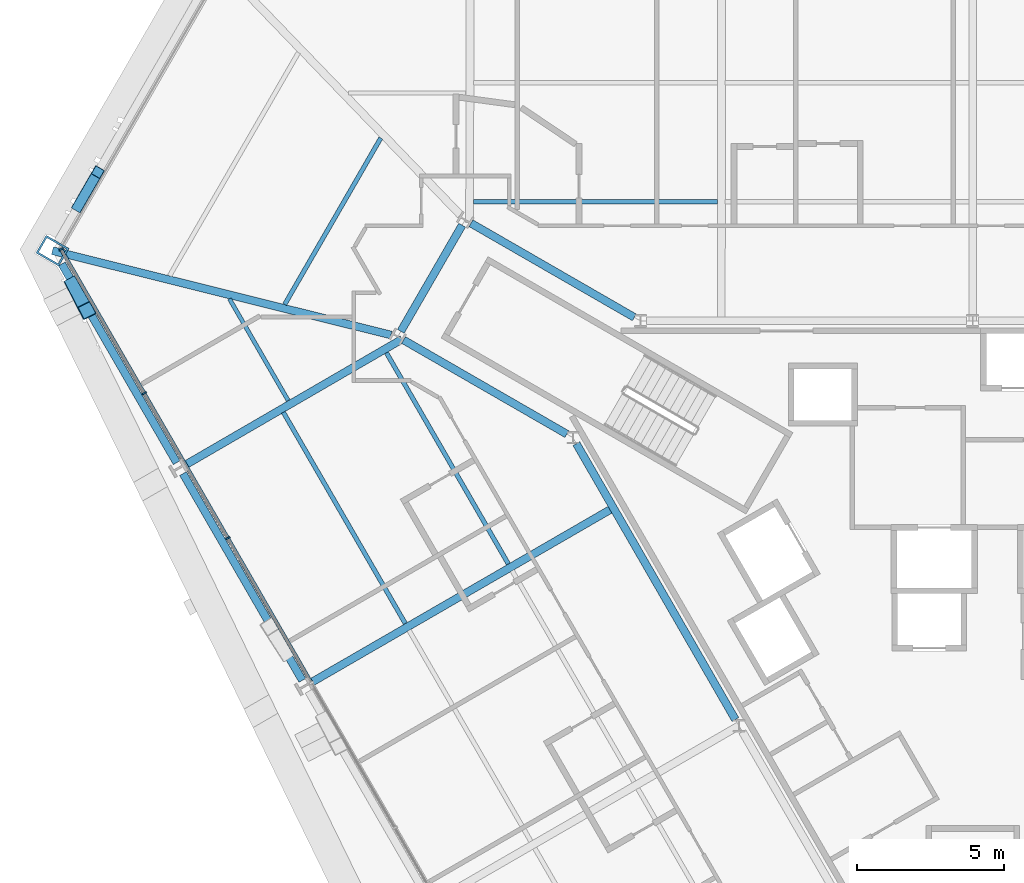
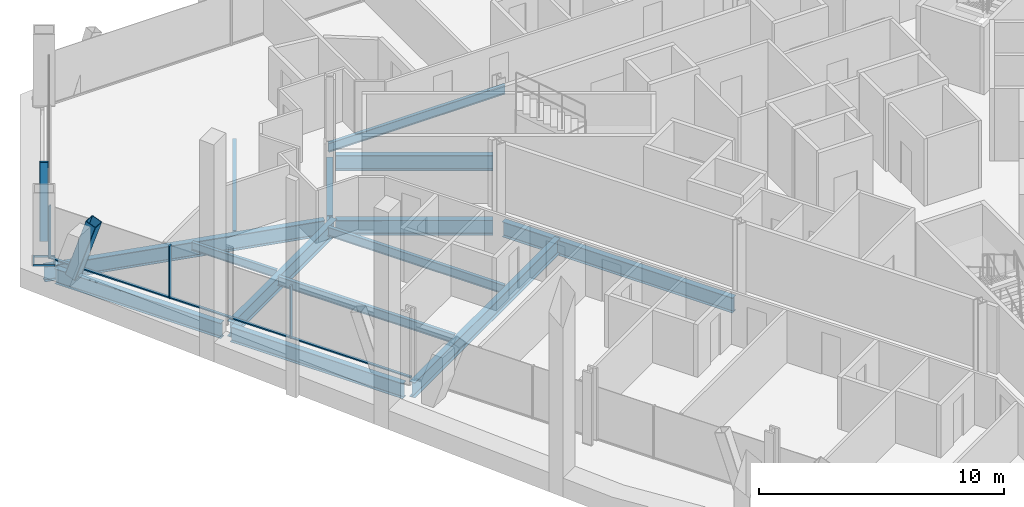
# One storey, part 7 of 21: 14 beams, 9 members, 1 element without a shape of its own.
"""IFC4 building model written with IfcOpenShell, lengths in metres."""

import ifcopenshell
import ifcopenshell.guid

model = None  # the IFC model being written
_history = None  # IfcOwnerHistory: only IFC2X3 demands one
_inside = {}  # id of a spatial element -> (the spatial element, [elements in it])
_under = {}  # id of a project, library or spatial element -> (it, [spatial elements below it])
_declared = {}  # id of a project -> (the project, [libraries it declares])
_typed = {}  # id of a type object -> (the type object, [elements of that type])
_made_of = {}  # id of a material, layer set ... -> (it, [elements and type objects made of it])


def new_model(schema):
    """Start an empty IFC model of exactly this schema.

    Asked for "IFC4X3", IfcOpenShell would pick the latest addendum, in which some entities
    have other attributes; the version numbers below select the first issue.
    IFC2X3 requires an IfcOwnerHistory on every rooted entity: one is made here for all.
    """
    global model, _history
    if schema == "IFC4X3":
        model = ifcopenshell.file(schema_version=(4, 3, 0, 0))
    else:
        model = ifcopenshell.file(schema=schema)
    _inside.clear()
    _under.clear()
    _declared.clear()
    _typed.clear()
    _made_of.clear()
    _history = None
    if model.schema == "IFC2X3":
        org = make("IfcOrganization", Name="unknown")
        user = make(
            "IfcPersonAndOrganization",
            ThePerson=make("IfcPerson", FamilyName="unknown"),
            TheOrganization=org,
        )
        app = make(
            "IfcApplication",
            ApplicationDeveloper=org,
            Version="unknown",
            ApplicationFullName="unknown",
            ApplicationIdentifier="unknown",
        )
        _history = make(
            "IfcOwnerHistory",
            OwningUser=user,
            OwningApplication=app,
            ChangeAction="ADDED",
            CreationDate=0,
        )
    return model


def make(cls, **values):
    """One entity of the class cls with the attributes given. An attribute that is None is left unset."""
    return model.create_entity(
        cls, **{name: value for name, value in values.items() if value is not None}
    )


def rooted(cls, **values):
    """An entity with a GlobalId (a new one), such as an element, a storey or a relation."""
    return make(cls, GlobalId=ifcopenshell.guid.new(), OwnerHistory=_history, **values)


def si_unit(unit_type, name, prefix=None):
    """IfcSIUnit, for example si_unit("LENGTHUNIT", "METRE", prefix="MILLI")."""
    return make("IfcSIUnit", UnitType=unit_type, Prefix=prefix, Name=name)


def assignment(units):
    """IfcUnitAssignment: the units of a project."""
    return None if units is None else make("IfcUnitAssignment", Units=units)


def point(xyz):
    """IfcCartesianPoint."""
    return None if xyz is None else make("IfcCartesianPoint", Coordinates=xyz)


def direction(xyz):
    """IfcDirection."""
    return None if xyz is None else make("IfcDirection", DirectionRatios=xyz)


def frame(location, z_axis=None, x_axis=None):
    """IfcAxis2Placement3D, a coordinate frame: its origin and axes. An axis left out is left unset."""
    return make(
        "IfcAxis2Placement3D",
        Location=point(location),
        Axis=direction(z_axis),
        RefDirection=direction(x_axis),
    )


def frame_2d(location, x_axis=None):
    """IfcAxis2Placement2D, a coordinate frame in the plane: its origin and x axis."""
    return make(
        "IfcAxis2Placement2D", Location=point(location), RefDirection=direction(x_axis)
    )


def origin():
    """The frame at (0, 0, 0) with its axes left unset."""
    return frame((0.0, 0.0, 0.0))


def origin_2d():
    """The frame at (0, 0) in the plane with its x axis left unset."""
    return frame_2d((0.0, 0.0))


def place(relative_to, where):
    """IfcLocalPlacement: puts the frame where relative to a parent placement (None: the world)."""
    return make(
        "IfcLocalPlacement", PlacementRelTo=relative_to, RelativePlacement=where
    )


def context(
    kind, dimensions, precision=None, world=None, true_north=None, identifier=None
):
    """IfcGeometricRepresentationContext, for example the 3D "Model" context."""
    return make(
        "IfcGeometricRepresentationContext",
        ContextIdentifier=identifier,
        ContextType=kind,
        CoordinateSpaceDimension=dimensions,
        Precision=precision,
        WorldCoordinateSystem=world,
        TrueNorth=true_north,
    )


def subcontext(parent, identifier, kind, view, scale=None):
    """IfcGeometricRepresentationSubContext, for example "Body" below "Model"."""
    return make(
        "IfcGeometricRepresentationSubContext",
        ContextIdentifier=identifier,
        ContextType=kind,
        ParentContext=parent,
        TargetScale=scale,
        TargetView=view,
    )


def project(units=None, contexts=None):
    """IfcProject with its units and contexts."""
    return rooted(
        "IfcProject",
        Name="project",
        RepresentationContexts=contexts,
        UnitsInContext=assignment(units),
    )


def spatial(cls, under=None, at=None, **own):
    """A site, building, storey or space (cls), placed at a placement, below another one or the project."""
    s = rooted(cls, ObjectPlacement=at, **own)
    if under is not None:
        _under.setdefault(under.id(), (under, []))[1].append(s)
    return s


def profile(cls, at=None, kind="AREA", **sizes):
    """A parametric profile (cls). Its sizes go by their IFC names, for example OverallWidth=200.0."""
    return make(cls, ProfileType=kind, Position=at, **sizes)


def rectangle(**sizes):
    """IfcRectangleProfileDef."""
    return profile("IfcRectangleProfileDef", **sizes)


def hollow_rectangle(**sizes):
    """IfcRectangleHollowProfileDef."""
    return profile("IfcRectangleHollowProfileDef", **sizes)


def i_section(**sizes):
    """IfcIShapeProfileDef."""
    return profile("IfcIShapeProfileDef", **sizes)


def extrude(swept, where, along, depth):
    """IfcExtrudedAreaSolid: the profile swept, set in the frame where, extruded along a direction by depth."""
    return make(
        "IfcExtrudedAreaSolid",
        SweptArea=swept,
        Position=where,
        ExtrudedDirection=direction(along),
        Depth=depth,
    )


def shape(context_of_items, identifier, shape_type, items):
    """IfcShapeRepresentation: the items that make up one representation, for example the "Body"."""
    return make(
        "IfcShapeRepresentation",
        ContextOfItems=context_of_items,
        RepresentationIdentifier=identifier,
        RepresentationType=shape_type,
        Items=items,
    )


def material(Name=None, Category=None):
    """IfcMaterial."""
    return make("IfcMaterial", Name=Name, Category=Category)


def material_profile(
    of_material, cross_section, Name=None, Category=None, Priority=None
):
    """IfcMaterialProfile: a cross section and its material."""
    return make(
        "IfcMaterialProfile",
        Name=Name,
        Material=of_material,
        Profile=cross_section,
        Priority=Priority,
        Category=Category,
    )


def profile_set(profiles, Name=None, composite=None):
    """IfcMaterialProfileSet."""
    return make(
        "IfcMaterialProfileSet",
        Name=Name,
        MaterialProfiles=profiles,
        CompositeProfile=composite,
    )


def made_of(thing, what):
    """Note that an element or type object is made of a material, layer set ...; save() writes the relation."""
    if what is not None:
        _made_of.setdefault(what.id(), (what, []))[1].append(thing)
    return thing


def type_object(cls, material=None, **own):
    """A type object (cls), such as IfcWallType, which elements share."""
    return made_of(rooted(cls, **own), material)


def element(
    cls,
    number,
    at=None,
    inside=None,
    cuts=None,
    type_object=None,
    material=None,
    context=None,
    identifier="Body",
    shape_type=None,
    held_by="IfcProductDefinitionShape",
    body=None,
    shapes=None,
    **own,
):
    """One element of the class cls, such as IfcWall. Its Tag is "e" and its number.

    at: its placement. inside: the storey or other place that contains it. cuts: it is an
    opening in that element (IfcRelVoidsElement). A single representation is given by context,
    identifier, shape_type and body (its items); several are given by shapes. held_by: the class
    of the entity that holds the representations. save() writes the other relations.
    """
    e = rooted(cls, Tag="e%d" % number, ObjectPlacement=at, **own)
    if body is not None:
        shapes = [shape(context, identifier, shape_type, body)]
    if shapes is not None:
        e.Representation = make(held_by, Representations=shapes)
    if inside is not None:
        _inside.setdefault(inside.id(), (inside, []))[1].append(e)
    if cuts is not None:
        rooted(
            "IfcRelVoidsElement", RelatingBuildingElement=cuts, RelatedOpeningElement=e
        )
    if type_object is not None:
        _typed.setdefault(type_object.id(), (type_object, []))[1].append(e)
    return made_of(e, material)


def aggregate(whole, parts):
    """IfcRelAggregates: a whole, such as a stair, and the parts it consists of."""
    return rooted("IfcRelAggregates", RelatingObject=whole, RelatedObjects=parts)


def save(model, path):
    """Write the relations noted so far, then the file.

    IfcRelAggregates (storeys below a building ...), IfcRelContainedInSpatialStructure (elements
    in a storey), IfcRelDefinesByType, IfcRelAssociatesMaterial and IfcRelDeclares: one each for
    every whole, place, type object, material and project.
    """
    for whole, parts in _under.values():
        aggregate(whole, parts)
    for where, things in _inside.values():
        rooted(
            "IfcRelContainedInSpatialStructure",
            RelatedElements=things,
            RelatingStructure=where,
        )
    for kind, things in _typed.values():
        rooted("IfcRelDefinesByType", RelatedObjects=things, RelatingType=kind)
    for what, things in _made_of.values():
        rooted("IfcRelAssociatesMaterial", RelatedObjects=things, RelatingMaterial=what)
    for by, libraries in _declared.values():
        rooted("IfcRelDeclares", RelatingContext=by, RelatedDefinitions=libraries)
    model.write(path)


model = new_model("IFC4")

# Units and contexts
model_context = context("Model", 3, precision=1e-05, world=origin(), true_north=direction((0.0, 1.0)))
body_context = subcontext(model_context, "Body", "Model", "MODEL_VIEW")
ifc_project = project(units=[si_unit("LENGTHUNIT", "METRE"), si_unit("AREAUNIT", "SQUARE_METRE"), si_unit("VOLUMEUNIT", "CUBIC_METRE"), si_unit("PLANEANGLEUNIT", "RADIAN"), si_unit("MASSUNIT", "GRAM", prefix="KILO")], contexts=[model_context])

# Site, building, storey
site_placement = place(None, origin())
site = spatial("IfcSite", under=ifc_project, at=site_placement, CompositionType="ELEMENT")
building_placement = place(site_placement, origin())
building = spatial("IfcBuilding", under=site, at=building_placement, Name="Verrane Prism Tower", CompositionType="ELEMENT")
storey_placement = place(building_placement, frame((0.0, 0.0, 65.60009765625)))
storey = spatial("IfcBuildingStorey", under=building, at=storey_placement, Name="L14", CompositionType="ELEMENT", Elevation=65.60009765625)

# Member
ifc_material_1 = material(Name="Steel A500 Grade C", Category="steel")
ifc_material_profile_1 = material_profile(ifc_material_1, hollow_rectangle(XDim=0.355712890625, YDim=0.355712890625, WallThickness=0.0126953125, InnerFilletRadius=0.00634765625, OuterFilletRadius=0.01904296875, at=origin_2d()), Name="HSS14x14x1/2")
ifc_profile_set_1 = profile_set([ifc_material_profile_1], Name="Steel A500 Grade C")
member_type_1 = type_object("IfcMemberType", Name="Chamfer brace HSS14x14x1/2", PredefinedType="BRACE", material=ifc_profile_set_1)
member_1_placement = place(storey_placement, frame((-30.495849609375, 13.10302734375, -0.2451171875), z_axis=(0.204612221205, 0.35417648442, 0.91252005831), x_axis=(-0.865889515344, 0.500235291855, 0.0)))
element("IfcMember", 1, at=member_1_placement, inside=storey, type_object=member_type_1, Name="Chamfer brace NW0 L14", PredefinedType="BRACE", context=body_context, shape_type="SweptSolid", body=[
    extrude(hollow_rectangle(XDim=0.355712890625, YDim=0.355712890625, WallThickness=0.0126953125, InnerFilletRadius=0.00634765625, OuterFilletRadius=0.01904296875, at=origin_2d()), origin(), (0.0, 0.0, 1.0), 3.290771484375),
])

# Beams
ifc_material_2 = material(Name="Steel A992", Category="steel")
ifc_material_profile_2 = material_profile(ifc_material_2, i_section(OverallWidth=0.2666015625, OverallDepth=0.7568359375, WebThickness=0.013916015625, FlangeThickness=0.019287109375, FilletRadius=0.0166015625, at=origin_2d()), Name="W30x108")
ifc_profile_set_2 = profile_set([ifc_material_profile_2], Name="Steel A992")
beam_type_1 = type_object("IfcBeamType", Name="Core ring girder W30x108", PredefinedType="BEAM", material=ifc_profile_set_2)
beam_1_placement = place(storey_placement, frame((-11.533203125, 9.317138671875, -0.628662109375), z_axis=(-0.866447229751, 0.499268663203, 0.0), x_axis=(-0.499268663203, -0.866447229751, 0.0)))
element("IfcBeam", 2, at=beam_1_placement, inside=storey, type_object=beam_type_1, Name="Core ring girder L14", PredefinedType="BEAM", context=body_context, shape_type="SweptSolid", body=[
    extrude(i_section(OverallWidth=0.2666015625, OverallDepth=0.7568359375, WebThickness=0.013916015625, FlangeThickness=0.019287109375, FilletRadius=0.0166015625, at=origin_2d()), origin(), (0.0, 0.0, 1.0), 6.428466796875),
])
beam_2_placement = place(storey_placement, frame((-17.40478515625, 12.45849609375, -0.628662109375), z_axis=(-0.500349643494, -0.865823442888, 0.0), x_axis=(0.865823442888, -0.500349643494, 0.0)))
element("IfcBeam", 3, at=beam_2_placement, inside=storey, type_object=beam_type_1, Name="Core ring girder L14", PredefinedType="BEAM", context=body_context, shape_type="SweptSolid", body=[
    extrude(i_section(OverallWidth=0.2666015625, OverallDepth=0.7568359375, WebThickness=0.013916015625, FlangeThickness=0.019287109375, FilletRadius=0.0166015625, at=origin_2d()), origin(), (0.0, 0.0, 1.0), 4.177734375),
])
beam_3_placement = place(storey_placement, frame((-19.403076171875, 8.54638671875, -0.628662109375), z_axis=(0.86646365882, -0.499240150574, 0.0), x_axis=(0.499240150574, 0.86646365882, 0.0)))
element("IfcBeam", 4, at=beam_3_placement, inside=storey, type_object=beam_type_1, Name="Core ring girder L14", PredefinedType="BEAM", context=body_context, shape_type="SweptSolid", body=[
    extrude(i_section(OverallWidth=0.2666015625, OverallDepth=0.7568359375, WebThickness=0.013916015625, FlangeThickness=0.019287109375, FilletRadius=0.0166015625, at=origin_2d()), origin(), (0.0, 0.0, 1.0), 6.42822265625),
])
beam_4_placement = place(storey_placement, frame((-13.510009765625, 5.01171875, -0.628662109375), z_axis=(0.499371892062, -0.866387738498, 0.0), x_axis=(0.866387738498, 0.499371892062, 0.0)))
element("IfcBeam", 5, at=beam_4_placement, inside=storey, type_object=beam_type_1, Name="Core ring girder L14", PredefinedType="BEAM", context=body_context, shape_type="SweptSolid", body=[
    extrude(i_section(OverallWidth=0.2666015625, OverallDepth=0.7568359375, WebThickness=0.013916015625, FlangeThickness=0.019287109375, FilletRadius=0.0166015625, at=origin_2d()), origin(), (0.0, 0.0, 1.0), 10.853515625),
])
ifc_material_3 = material(Name="Steel A992", Category="steel")
ifc_material_profile_3 = material_profile(ifc_material_3, i_section(OverallWidth=0.2666015625, OverallDepth=0.76708984375, WebThickness=0.014892578125, FlangeThickness=0.023681640625, FilletRadius=0.0166015625, at=origin_2d()), Name="W30x124")
ifc_profile_set_3 = profile_set([ifc_material_profile_3], Name="Steel A992")
beam_type_2 = type_object("IfcBeamType", Name="Corner girder W30x124", PredefinedType="BEAM", material=ifc_profile_set_3)
beam_5_placement = place(storey_placement, frame((-31.3671875, 11.58935546875, -0.603515625), z_axis=(0.970381185605, -0.24157887868, 0.0), x_axis=(0.24157887868, 0.970381185605, 0.0)))
element("IfcBeam", 6, at=beam_5_placement, inside=storey, type_object=beam_type_2, Name="Corner girder L14", PredefinedType="BEAM", context=body_context, shape_type="SweptSolid", body=[
    extrude(i_section(OverallWidth=0.2666015625, OverallDepth=0.76708984375, WebThickness=0.014892578125, FlangeThickness=0.023681640625, FilletRadius=0.0166015625, at=origin_2d()), origin(), (0.0, 0.0, 1.0), 11.8896484375),
])

# Member
ifc_material_4 = material(Name="Steel A1085 Grade A", Category="steel")
ifc_material_profile_4 = material_profile(ifc_material_4, hollow_rectangle(XDim=0.508056640625, YDim=0.508056640625, WallThickness=0.025390625, InnerFilletRadius=0.0126953125, OuterFilletRadius=0.0380859375, at=origin_2d()), Name="HSS20x20x1")
ifc_profile_set_4 = profile_set([ifc_material_profile_4], Name="Steel A1085 Grade A")
member_type_2 = type_object("IfcMemberType", Name="Facade brace HSS20x20x1", PredefinedType="BRACE", material=ifc_profile_set_4)
member_2_placement = place(storey_placement, frame((-30.6494140625, 10.446044921875, -0.24267578125), z_axis=(0.143782264206, -0.281018469249, 0.948870528808), x_axis=(0.890241261064, 0.455489294165, 0.0)))
element("IfcMember", 7, at=member_2_placement, inside=storey, type_object=member_type_2, Name="Facade brace SW0 L14", PredefinedType="BRACE", context=body_context, shape_type="SweptSolid", body=[
    extrude(hollow_rectangle(XDim=0.508056640625, YDim=0.508056640625, WallThickness=0.025390625, InnerFilletRadius=0.0126953125, OuterFilletRadius=0.0380859375, at=origin_2d()), origin(), (0.0, 0.0, 1.0), 3.170166015625),
])

# Beams
ifc_material_5 = material(Name="Steel A992", Category="steel")
ifc_material_profile_5 = material_profile(ifc_material_5, i_section(OverallWidth=0.140380859375, OverallDepth=0.40380859375, WebThickness=0.007080078125, FlangeThickness=0.01123046875, FilletRadius=0.01025390625, at=origin_2d()), Name="W16x31")
ifc_profile_set_5 = profile_set([ifc_material_profile_5], Name="Steel A992")
beam_type_3 = type_object("IfcBeamType", Name="Floor beam W16x31", PredefinedType="BEAM", material=ifc_profile_set_5)
beam_6_placement = place(storey_placement, frame((-23.333984375, 6.484375, -0.362060546875), z_axis=(-0.499997052475, 0.866027105532, 0.0), x_axis=(-0.866027105532, -0.499997052475, 0.0)))
element("IfcBeam", 8, at=beam_6_placement, inside=storey, type_object=beam_type_3, Name="Floor beam L14", PredefinedType="BEAM", context=body_context, shape_type="SweptSolid", body=[
    extrude(i_section(OverallWidth=0.140380859375, OverallDepth=0.40380859375, WebThickness=0.007080078125, FlangeThickness=0.01123046875, FilletRadius=0.01025390625, at=origin_2d()), origin(), (0.0, 0.0, 1.0), 4.001953125),
])
ifc_material_6 = material(Name="Steel A992", Category="steel")
ifc_material_profile_6 = material_profile(ifc_material_6, i_section(OverallWidth=0.15234375, OverallDepth=0.449462890625, WebThickness=0.007568359375, FlangeThickness=0.0107421875, FilletRadius=0.01025390625, at=origin_2d()), Name="W18x35")
ifc_profile_set_6 = profile_set([ifc_material_profile_6], Name="Steel A992")
beam_type_4 = type_object("IfcBeamType", Name="Floor beam W18x35", PredefinedType="BEAM", material=ifc_profile_set_6)
beam_7_placement = place(storey_placement, frame((-17.0166015625, 13.256591796875, -0.385009765625), z_axis=(1.0, 0.0, 0.0), x_axis=(0.0, 1.0, 0.0)))
element("IfcBeam", 9, at=beam_7_placement, inside=storey, type_object=beam_type_4, Name="Floor beam L14", PredefinedType="BEAM", context=body_context, shape_type="SweptSolid", body=[
    extrude(i_section(OverallWidth=0.15234375, OverallDepth=0.449462890625, WebThickness=0.007568359375, FlangeThickness=0.0107421875, FilletRadius=0.01025390625, at=origin_2d()), origin(), (0.0, 0.0, 1.0), 8.31298828125),
])
beam_8_placement = place(storey_placement, frame((-15.830078125, 0.91552734375, -0.385009765625), z_axis=(-0.500002345008, 0.866024049889, 0.0), x_axis=(-0.866024049889, -0.500002345008, 0.0)))
element("IfcBeam", 10, at=beam_8_placement, inside=storey, type_object=beam_type_4, Name="Floor beam L14", PredefinedType="BEAM", context=body_context, shape_type="SweptSolid", body=[
    extrude(i_section(OverallWidth=0.15234375, OverallDepth=0.449462890625, WebThickness=0.007568359375, FlangeThickness=0.0107421875, FilletRadius=0.01025390625, at=origin_2d()), origin(), (0.0, 0.0, 1.0), 8.3056640625),
])
beam_9_placement = place(storey_placement, frame((-19.343505859375, -1.114501953125, -0.385009765625), z_axis=(-0.499991203388, 0.866030482451, 0.0), x_axis=(-0.866030482451, -0.499991203388, 0.0)))
element("IfcBeam", 11, at=beam_9_placement, inside=storey, type_object=beam_type_4, Name="Floor beam L14", PredefinedType="BEAM", context=body_context, shape_type="SweptSolid", body=[
    extrude(i_section(OverallWidth=0.15234375, OverallDepth=0.449462890625, WebThickness=0.007568359375, FlangeThickness=0.0107421875, FilletRadius=0.01025390625, at=origin_2d()), origin(), (0.0, 0.0, 1.0), 8.309326171875),
])
beam_10_placement = place(storey_placement, frame((-23.45263671875, 9.756591796875, -0.385009765625), z_axis=(0.499982664585, 0.86603541216, 0.0), x_axis=(-0.86603541216, 0.499982664585, 0.0)))
element("IfcBeam", 12, at=beam_10_placement, inside=storey, type_object=beam_type_4, Name="Floor beam L14", PredefinedType="BEAM", context=body_context, shape_type="SweptSolid", body=[
    extrude(i_section(OverallWidth=0.15234375, OverallDepth=0.449462890625, WebThickness=0.007568359375, FlangeThickness=0.0107421875, FilletRadius=0.01025390625, at=origin_2d()), origin(), (0.0, 0.0, 1.0), 6.551513671875),
])

# Member
ifc_material_7 = material(Name="Steel A572 Grade 50", Category="steel")
ifc_material_profile_7 = material_profile(ifc_material_7, hollow_rectangle(XDim=0.699951171875, YDim=0.89990234375, WallThickness=0.06494140625, at=origin_2d()), Name="BOX 900x700x65")
ifc_profile_set_7 = profile_set([ifc_material_profile_7], Name="Steel A572 Grade 50")
member_type_3 = type_object("IfcMemberType", Name="Kink node BOX 900x700x65", PredefinedType="COLLAR", material=ifc_profile_set_7)
member_3_placement = place(storey_placement, frame((-31.3681640625, 11.590087890625, -0.0400390625), z_axis=(0.0, 0.0, 1.0), x_axis=(0.5, 0.866025403784, 0.0)))
element("IfcMember", 13, at=member_3_placement, inside=storey, type_object=member_type_3, Name="Kink node MC3 L14", PredefinedType="COLLAR", context=body_context, shape_type="SweptSolid", body=[
    extrude(hollow_rectangle(XDim=0.699951171875, YDim=0.89990234375, WallThickness=0.06494140625, at=origin_2d()), origin(), (0.0, 0.0, 1.0), 0.079833984375),
])

# Curtain wall, members
ifc_material_8 = material(Name="Aluminium framed insulated glazing", Category="aluminium")
curtain_wall_type = type_object("IfcCurtainWallType", Name="Curtain wall CW-B 5600 module", PredefinedType="NOTDEFINED", material=ifc_material_8)
curtain_wall_placement = place(storey_placement, origin())
curtain_wall = element("IfcCurtainWall", 14, at=curtain_wall_placement, inside=storey, type_object=curtain_wall_type, Name="Glazed curtain wall south-west face L14", PredefinedType="NOTDEFINED")
ifc_material_9 = material(Name="Aluminium alloy 6063-T6", Category="aluminium")
ifc_material_profile_8 = material_profile(ifc_material_9, rectangle(XDim=0.159912109375, YDim=0.06005859375, at=origin_2d()), Name="Mullion 60x160 aluminium")
ifc_profile_set_8 = profile_set([ifc_material_profile_8], Name="Aluminium alloy 6063-T6")
member_type_4 = type_object("IfcMemberType", Name="Mullion 60x160 aluminium", PredefinedType="MULLION", material=ifc_profile_set_8)
member_4_placement = place(storey_placement, frame((-31.07470703125, 11.64111328125, 0.0), z_axis=(0.0, 0.0, 1.0), x_axis=(0.866025283147, 0.50000020895, 0.0)))
member_4 = element("IfcMember", 15, at=member_4_placement, type_object=member_type_4, Name="CW14.4 mullion 1", PredefinedType="MULLION", context=body_context, shape_type="SweptSolid", body=[
    extrude(rectangle(XDim=0.159912109375, YDim=0.06005859375, at=origin_2d()), origin(), (0.0, 0.0, 1.0), 2.61279296875),
])
member_5_placement = place(storey_placement, frame((-28.23974609375, 6.73095703125, 0.0), z_axis=(0.0, 0.0, 1.0), x_axis=(0.866025283147, 0.50000020895, 0.0)))
member_5 = element("IfcMember", 16, at=member_5_placement, type_object=member_type_4, Name="CW14.4 mullion 2", PredefinedType="MULLION", context=body_context, shape_type="SweptSolid", body=[
    extrude(rectangle(XDim=0.159912109375, YDim=0.06005859375, at=origin_2d()), origin(), (0.0, 0.0, 1.0), 2.61279296875),
])
member_6_placement = place(storey_placement, frame((-25.389892578125, 1.794677734375, 0.0), z_axis=(0.0, 0.0, 1.0), x_axis=(0.866025283147, 0.50000020895, 0.0)))
member_6 = element("IfcMember", 17, at=member_6_placement, type_object=member_type_4, Name="CW14.4 mullion 3", PredefinedType="MULLION", context=body_context, shape_type="SweptSolid", body=[
    extrude(rectangle(XDim=0.159912109375, YDim=0.06005859375, at=origin_2d()), origin(), (0.0, 0.0, 1.0), 2.61279296875),
])

# Beams
ifc_material_10 = material(Name="Steel A992", Category="steel")
ifc_material_profile_9 = material_profile(ifc_material_10, i_section(OverallWidth=0.2666015625, OverallDepth=0.76708984375, WebThickness=0.014892578125, FlangeThickness=0.023681640625, FilletRadius=0.0166015625, at=origin_2d()), Name="W30x124")
ifc_profile_set_9 = profile_set([ifc_material_profile_9], Name="Steel A992")
beam_type_5 = type_object("IfcBeamType", Name="Radial girder W30x124", PredefinedType="BEAM", material=ifc_profile_set_9)
beam_11_placement = place(storey_placement, frame((-26.810546875, 4.303466796875, -0.603515625), z_axis=(0.864893428498, 0.50195553323, 0.0), x_axis=(-0.50195553323, 0.864893428498, 0.0)))
element("IfcBeam", 18, at=beam_11_placement, inside=storey, type_object=beam_type_5, Name="Radial girder L14", PredefinedType="BEAM", context=body_context, shape_type="SweptSolid", body=[
    extrude(i_section(OverallWidth=0.2666015625, OverallDepth=0.76708984375, WebThickness=0.014892578125, FlangeThickness=0.023681640625, FilletRadius=0.0166015625, at=origin_2d()), origin(), (0.0, 0.0, 1.0), 8.5087890625),
])
beam_12_placement = place(storey_placement, frame((-22.527099609375, -3.118408203125, -0.603515625), z_axis=(0.865652398738, 0.500645507879, 0.0), x_axis=(-0.500645507879, 0.865652398738, 0.0)))
element("IfcBeam", 19, at=beam_12_placement, inside=storey, type_object=beam_type_5, Name="Radial girder L14", PredefinedType="BEAM", context=body_context, shape_type="SweptSolid", body=[
    extrude(i_section(OverallWidth=0.2666015625, OverallDepth=0.76708984375, WebThickness=0.014892578125, FlangeThickness=0.023681640625, FilletRadius=0.0166015625, at=origin_2d()), origin(), (0.0, 0.0, 1.0), 11.872314453125),
])
ifc_material_11 = material(Name="Steel A992", Category="steel")
ifc_material_profile_10 = material_profile(ifc_material_11, i_section(OverallWidth=0.2666015625, OverallDepth=0.7568359375, WebThickness=0.013916015625, FlangeThickness=0.019287109375, FilletRadius=0.0166015625, at=origin_2d()), Name="W30x108")
ifc_profile_set_10 = profile_set([ifc_material_profile_10], Name="Steel A992")
beam_type_6 = type_object("IfcBeamType", Name="Spandrel beam W30x108", PredefinedType="SPANDREL", material=ifc_profile_set_10)
beam_13_placement = place(storey_placement, frame((-31.05078125, 11.140380859375, -0.53857421875), z_axis=(0.5005270619, -0.865720890533, 0.0), x_axis=(0.865720890533, 0.5005270619, 0.0)))
element("IfcBeam", 20, at=beam_13_placement, inside=storey, type_object=beam_type_6, Name="Spandrel beam L14", PredefinedType="SPANDREL", context=body_context, shape_type="SweptSolid", body=[
    extrude(i_section(OverallWidth=0.2666015625, OverallDepth=0.7568359375, WebThickness=0.013916015625, FlangeThickness=0.019287109375, FilletRadius=0.0166015625, at=origin_2d()), origin(), (0.0, 0.0, 1.0), 7.82568359375),
])
beam_14_placement = place(storey_placement, frame((-26.91796875, 3.991455078125, -0.53857421875), z_axis=(0.49985664694, -0.866108152894, 0.0), x_axis=(0.866108152894, 0.49985664694, 0.0)))
element("IfcBeam", 21, at=beam_14_placement, inside=storey, type_object=beam_type_6, Name="Spandrel beam L14", PredefinedType="SPANDREL", context=body_context, shape_type="SweptSolid", body=[
    extrude(i_section(OverallWidth=0.2666015625, OverallDepth=0.7568359375, WebThickness=0.013916015625, FlangeThickness=0.019287109375, FilletRadius=0.0166015625, at=origin_2d()), origin(), (0.0, 0.0, 1.0), 8.13720703125),
])

# Member
ifc_material_12 = material(Name="Aluminium alloy 6063-T6", Category="aluminium")
ifc_material_profile_11 = material_profile(ifc_material_12, rectangle(XDim=0.1201171875, YDim=0.06005859375, at=origin_2d()), Name="Transom 60x120 aluminium")
ifc_profile_set_11 = profile_set([ifc_material_profile_11], Name="Aluminium alloy 6063-T6")
member_type_5 = type_object("IfcMemberType", Name="Transom 60x120 aluminium", PredefinedType="USERDEFINED", material=ifc_profile_set_11)
member_7_placement = place(storey_placement, frame((-31.059814453125, 11.614990234375, 0.02978515625), z_axis=(0.500010020406, -0.866019618423, 0.0), x_axis=(0.866019618423, 0.500010020406, 0.0)))
member_7 = element("IfcMember", 22, at=member_7_placement, type_object=member_type_5, Name="CW14.4 transom 1", ObjectType="TRANSOM", PredefinedType="USERDEFINED", context=body_context, shape_type="SweptSolid", body=[
    extrude(rectangle(XDim=0.1201171875, YDim=0.06005859375, at=origin_2d()), origin(), (0.0, 0.0, 1.0), 5.60986328125),
])

member_8_placement = place(storey_placement, frame((-28.224853515625, 6.704833984375, 0.02978515625), z_axis=(0.500003502126, -0.866023381821, 0.0), x_axis=(0.866023381821, 0.500003502126, 0.0)))
member_8 = element("IfcMember", 23, at=member_8_placement, type_object=member_type_5, Name="CW14.4 transom 2", ObjectType="TRANSOM", PredefinedType="USERDEFINED", context=body_context, shape_type="SweptSolid", body=[
    extrude(rectangle(XDim=0.1201171875, YDim=0.06005859375, at=origin_2d()), origin(), (0.0, 0.0, 1.0), 5.6396484375),
])

member_9_placement = place(storey_placement, frame((-25.375, 1.768798828125, 0.02978515625), z_axis=(0.500003502126, -0.866023381821, 0.0), x_axis=(0.866023381821, 0.500003502126, 0.0)))
member_9 = element("IfcMember", 24, at=member_9_placement, type_object=member_type_5, Name="CW14.4 transom 3", ObjectType="TRANSOM", PredefinedType="USERDEFINED", context=body_context, shape_type="SweptSolid", body=[
    extrude(rectangle(XDim=0.1201171875, YDim=0.06005859375, at=origin_2d()), origin(), (0.0, 0.0, 1.0), 5.6396484375),
])

aggregate(curtain_wall, [member_4, member_5, member_6, member_7, member_8, member_9])

save(model, "model.ifc")
